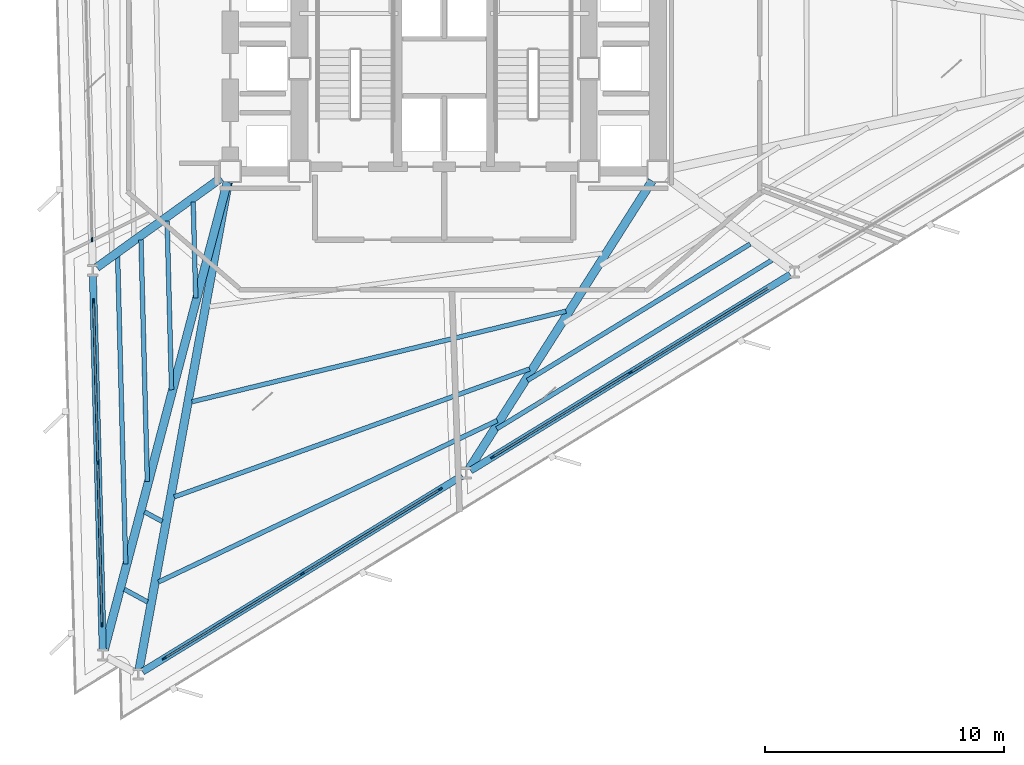
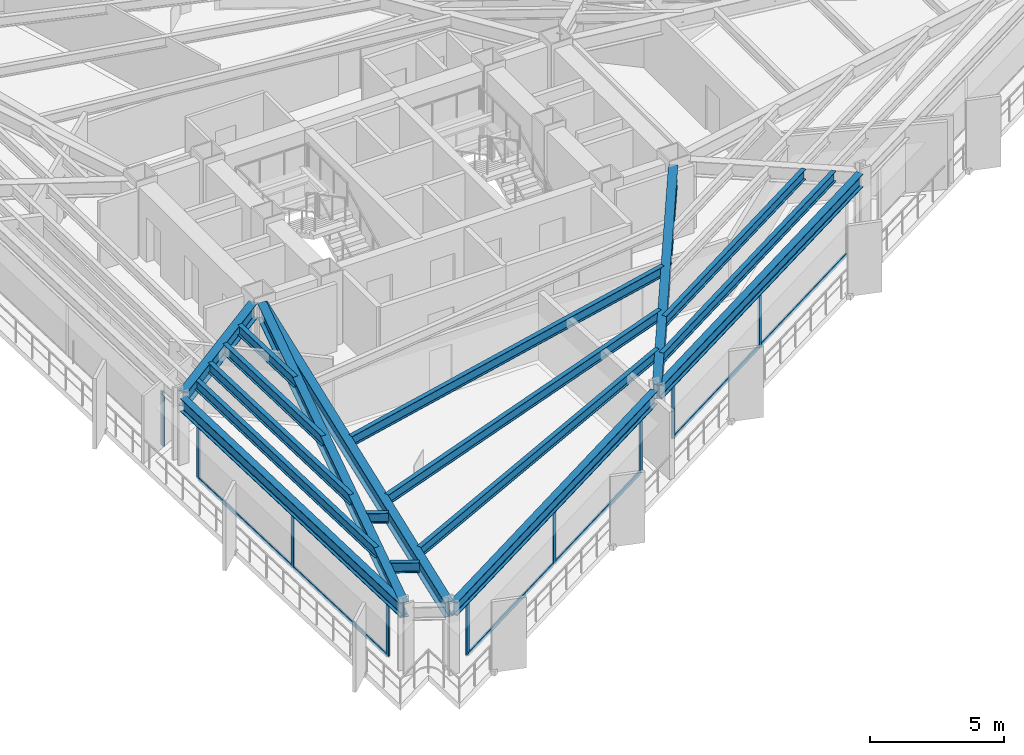
# One storey, part 2 of 14: 21 members, 18 beams, 4 elements without a shape of their own.
"""IFC4 building model written with IfcOpenShell, lengths in metres."""

import ifcopenshell
import ifcopenshell.guid

model = None  # the IFC model being written
_history = None  # IfcOwnerHistory: only IFC2X3 demands one
_inside = {}  # id of a spatial element -> (the spatial element, [elements in it])
_under = {}  # id of a project, library or spatial element -> (it, [spatial elements below it])
_declared = {}  # id of a project -> (the project, [libraries it declares])
_typed = {}  # id of a type object -> (the type object, [elements of that type])
_made_of = {}  # id of a material, layer set ... -> (it, [elements and type objects made of it])


def new_model(schema):
    """Start an empty IFC model of exactly this schema.

    Asked for "IFC4X3", IfcOpenShell would pick the latest addendum, in which some entities
    have other attributes; the version numbers below select the first issue.
    IFC2X3 requires an IfcOwnerHistory on every rooted entity: one is made here for all.
    """
    global model, _history
    if schema == "IFC4X3":
        model = ifcopenshell.file(schema_version=(4, 3, 0, 0))
    else:
        model = ifcopenshell.file(schema=schema)
    _inside.clear()
    _under.clear()
    _declared.clear()
    _typed.clear()
    _made_of.clear()
    _history = None
    if model.schema == "IFC2X3":
        org = make("IfcOrganization", Name="unknown")
        user = make(
            "IfcPersonAndOrganization",
            ThePerson=make("IfcPerson", FamilyName="unknown"),
            TheOrganization=org,
        )
        app = make(
            "IfcApplication",
            ApplicationDeveloper=org,
            Version="unknown",
            ApplicationFullName="unknown",
            ApplicationIdentifier="unknown",
        )
        _history = make(
            "IfcOwnerHistory",
            OwningUser=user,
            OwningApplication=app,
            ChangeAction="ADDED",
            CreationDate=0,
        )
    return model


def make(cls, **values):
    """One entity of the class cls with the attributes given. An attribute that is None is left unset."""
    return model.create_entity(
        cls, **{name: value for name, value in values.items() if value is not None}
    )


def rooted(cls, **values):
    """An entity with a GlobalId (a new one), such as an element, a storey or a relation."""
    return make(cls, GlobalId=ifcopenshell.guid.new(), OwnerHistory=_history, **values)


def si_unit(unit_type, name, prefix=None):
    """IfcSIUnit, for example si_unit("LENGTHUNIT", "METRE", prefix="MILLI")."""
    return make("IfcSIUnit", UnitType=unit_type, Prefix=prefix, Name=name)


def assignment(units):
    """IfcUnitAssignment: the units of a project."""
    return None if units is None else make("IfcUnitAssignment", Units=units)


def point(xyz):
    """IfcCartesianPoint."""
    return None if xyz is None else make("IfcCartesianPoint", Coordinates=xyz)


def direction(xyz):
    """IfcDirection."""
    return None if xyz is None else make("IfcDirection", DirectionRatios=xyz)


def frame(location, z_axis=None, x_axis=None):
    """IfcAxis2Placement3D, a coordinate frame: its origin and axes. An axis left out is left unset."""
    return make(
        "IfcAxis2Placement3D",
        Location=point(location),
        Axis=direction(z_axis),
        RefDirection=direction(x_axis),
    )


def frame_2d(location, x_axis=None):
    """IfcAxis2Placement2D, a coordinate frame in the plane: its origin and x axis."""
    return make(
        "IfcAxis2Placement2D", Location=point(location), RefDirection=direction(x_axis)
    )


def origin():
    """The frame at (0, 0, 0) with its axes left unset."""
    return frame((0.0, 0.0, 0.0))


def origin_2d():
    """The frame at (0, 0) in the plane with its x axis left unset."""
    return frame_2d((0.0, 0.0))


def place(relative_to, where):
    """IfcLocalPlacement: puts the frame where relative to a parent placement (None: the world)."""
    return make(
        "IfcLocalPlacement", PlacementRelTo=relative_to, RelativePlacement=where
    )


def context(
    kind, dimensions, precision=None, world=None, true_north=None, identifier=None
):
    """IfcGeometricRepresentationContext, for example the 3D "Model" context."""
    return make(
        "IfcGeometricRepresentationContext",
        ContextIdentifier=identifier,
        ContextType=kind,
        CoordinateSpaceDimension=dimensions,
        Precision=precision,
        WorldCoordinateSystem=world,
        TrueNorth=true_north,
    )


def subcontext(parent, identifier, kind, view, scale=None):
    """IfcGeometricRepresentationSubContext, for example "Body" below "Model"."""
    return make(
        "IfcGeometricRepresentationSubContext",
        ContextIdentifier=identifier,
        ContextType=kind,
        ParentContext=parent,
        TargetScale=scale,
        TargetView=view,
    )


def project(units=None, contexts=None):
    """IfcProject with its units and contexts."""
    return rooted(
        "IfcProject",
        Name="project",
        RepresentationContexts=contexts,
        UnitsInContext=assignment(units),
    )


def spatial(cls, under=None, at=None, **own):
    """A site, building, storey or space (cls), placed at a placement, below another one or the project."""
    s = rooted(cls, ObjectPlacement=at, **own)
    if under is not None:
        _under.setdefault(under.id(), (under, []))[1].append(s)
    return s


def profile(cls, at=None, kind="AREA", **sizes):
    """A parametric profile (cls). Its sizes go by their IFC names, for example OverallWidth=200.0."""
    return make(cls, ProfileType=kind, Position=at, **sizes)


def rectangle(**sizes):
    """IfcRectangleProfileDef."""
    return profile("IfcRectangleProfileDef", **sizes)


def i_section(**sizes):
    """IfcIShapeProfileDef."""
    return profile("IfcIShapeProfileDef", **sizes)


def extrude(swept, where, along, depth):
    """IfcExtrudedAreaSolid: the profile swept, set in the frame where, extruded along a direction by depth."""
    return make(
        "IfcExtrudedAreaSolid",
        SweptArea=swept,
        Position=where,
        ExtrudedDirection=direction(along),
        Depth=depth,
    )


def shape(context_of_items, identifier, shape_type, items):
    """IfcShapeRepresentation: the items that make up one representation, for example the "Body"."""
    return make(
        "IfcShapeRepresentation",
        ContextOfItems=context_of_items,
        RepresentationIdentifier=identifier,
        RepresentationType=shape_type,
        Items=items,
    )


def material(Name=None, Category=None):
    """IfcMaterial."""
    return make("IfcMaterial", Name=Name, Category=Category)


def layer(
    of_material, thickness, ventilated=None, Name=None, Category=None, Priority=None
):
    """IfcMaterialLayer: one layer of a wall or slab, of a material (None: an air gap)."""
    return make(
        "IfcMaterialLayer",
        Material=of_material,
        LayerThickness=thickness,
        IsVentilated=ventilated,
        Name=Name,
        Category=Category,
        Priority=Priority,
    )


def layer_set(layers, Name=None):
    """IfcMaterialLayerSet."""
    return make("IfcMaterialLayerSet", MaterialLayers=layers, LayerSetName=Name)


def material_profile(
    of_material, cross_section, Name=None, Category=None, Priority=None
):
    """IfcMaterialProfile: a cross section and its material."""
    return make(
        "IfcMaterialProfile",
        Name=Name,
        Material=of_material,
        Profile=cross_section,
        Priority=Priority,
        Category=Category,
    )


def profile_set(profiles, Name=None, composite=None):
    """IfcMaterialProfileSet."""
    return make(
        "IfcMaterialProfileSet",
        Name=Name,
        MaterialProfiles=profiles,
        CompositeProfile=composite,
    )


def made_of(thing, what):
    """Note that an element or type object is made of a material, layer set ...; save() writes the relation."""
    if what is not None:
        _made_of.setdefault(what.id(), (what, []))[1].append(thing)
    return thing


def type_object(cls, material=None, **own):
    """A type object (cls), such as IfcWallType, which elements share."""
    return made_of(rooted(cls, **own), material)


def element(
    cls,
    number,
    at=None,
    inside=None,
    cuts=None,
    type_object=None,
    material=None,
    context=None,
    identifier="Body",
    shape_type=None,
    held_by="IfcProductDefinitionShape",
    body=None,
    shapes=None,
    **own,
):
    """One element of the class cls, such as IfcWall. Its Tag is "e" and its number.

    at: its placement. inside: the storey or other place that contains it. cuts: it is an
    opening in that element (IfcRelVoidsElement). A single representation is given by context,
    identifier, shape_type and body (its items); several are given by shapes. held_by: the class
    of the entity that holds the representations. save() writes the other relations.
    """
    e = rooted(cls, Tag="e%d" % number, ObjectPlacement=at, **own)
    if body is not None:
        shapes = [shape(context, identifier, shape_type, body)]
    if shapes is not None:
        e.Representation = make(held_by, Representations=shapes)
    if inside is not None:
        _inside.setdefault(inside.id(), (inside, []))[1].append(e)
    if cuts is not None:
        rooted(
            "IfcRelVoidsElement", RelatingBuildingElement=cuts, RelatedOpeningElement=e
        )
    if type_object is not None:
        _typed.setdefault(type_object.id(), (type_object, []))[1].append(e)
    return made_of(e, material)


def aggregate(whole, parts):
    """IfcRelAggregates: a whole, such as a stair, and the parts it consists of."""
    return rooted("IfcRelAggregates", RelatingObject=whole, RelatedObjects=parts)


def save(model, path):
    """Write the relations noted so far, then the file.

    IfcRelAggregates (storeys below a building ...), IfcRelContainedInSpatialStructure (elements
    in a storey), IfcRelDefinesByType, IfcRelAssociatesMaterial and IfcRelDeclares: one each for
    every whole, place, type object, material and project.
    """
    for whole, parts in _under.values():
        aggregate(whole, parts)
    for where, things in _inside.values():
        rooted(
            "IfcRelContainedInSpatialStructure",
            RelatedElements=things,
            RelatingStructure=where,
        )
    for kind, things in _typed.values():
        rooted("IfcRelDefinesByType", RelatedObjects=things, RelatingType=kind)
    for what, things in _made_of.values():
        rooted("IfcRelAssociatesMaterial", RelatedObjects=things, RelatingMaterial=what)
    for by, libraries in _declared.values():
        rooted("IfcRelDeclares", RelatingContext=by, RelatedDefinitions=libraries)
    model.write(path)


model = new_model("IFC4")

# Units and contexts
model_context = context("Model", 3, precision=1e-05, world=origin(), true_north=direction((0.0, 1.0)))
body_context = subcontext(model_context, "Body", "Model", "MODEL_VIEW")
ifc_project = project(units=[si_unit("LENGTHUNIT", "METRE"), si_unit("AREAUNIT", "SQUARE_METRE"), si_unit("VOLUMEUNIT", "CUBIC_METRE"), si_unit("PLANEANGLEUNIT", "RADIAN"), si_unit("MASSUNIT", "GRAM", prefix="KILO")], contexts=[model_context])

# Site, building, storey
site_placement = place(None, origin())
site = spatial("IfcSite", under=ifc_project, at=site_placement, CompositionType="ELEMENT")
building_placement = place(site_placement, origin())
building = spatial("IfcBuilding", under=site, at=building_placement, Name="Rocaltana Carrier Exchange", CompositionType="ELEMENT")
storey_placement = place(building_placement, frame((0.0, 0.0, 25.60009765625)))
storey = spatial("IfcBuildingStorey", under=building, at=storey_placement, Name="L08", CompositionType="ELEMENT", Elevation=25.60009765625)

# Curtain wall, member
ifc_material_1 = material(Name="Aluminium 6063-T6", Category="aluminium")
ifc_layer = layer(ifc_material_1, 0.179931640625)
ifc_layer_set = layer_set([ifc_layer], Name="Aluminium 6063-T6")
curtain_wall_type = type_object("IfcCurtainWallType", Name="Sandstone Spandrel Unitised Curtain Wall CW-01", PredefinedType="NOTDEFINED", material=ifc_layer_set)
curtain_wall_1_placement = place(storey_placement, origin())
curtain_wall_1 = element("IfcCurtainWall", 1, at=curtain_wall_1_placement, inside=storey, type_object=curtain_wall_type, Name="L08 CW-01 Run CW-L08-F2S2", PredefinedType="NOTDEFINED")
ifc_material_2 = material(Name="Aluminium 6063-T6", Category="aluminium")
ifc_material_profile_1 = material_profile(ifc_material_2, rectangle(XDim=0.06494140625, YDim=0.179931640625, at=origin_2d()), Name="AL-65X180")
ifc_profile_set_1 = profile_set([ifc_material_profile_1], Name="Aluminium 6063-T6")
member_type_1 = type_object("IfcMemberType", Name="CW-01 Mullion AL-65X180", PredefinedType="MULLION", material=ifc_profile_set_1)
member_1_placement = place(storey_placement, frame((-14.733642578125, -7.155517578125, 0.0), z_axis=(0.0, 0.0, 1.0), x_axis=(0.99965733548, 0.026176547142, 0.0)))
member_1 = element("IfcMember", 2, at=member_1_placement, type_object=member_type_1, Name="CW-01 mullion 3", PredefinedType="MULLION", context=body_context, shape_type="SweptSolid", body=[
    extrude(rectangle(XDim=0.06494140625, YDim=0.179931640625, at=origin_2d()), origin(), (0.0, 0.0, 1.0), 2.477783203125),
])
aggregate(curtain_wall_1, [member_1])

# Curtain wall, members
curtain_wall_2_placement = place(storey_placement, origin())
curtain_wall_2 = element("IfcCurtainWall", 3, at=curtain_wall_2_placement, inside=storey, type_object=curtain_wall_type, Name="L08 CW-01 Run CW-L08-F2S3", PredefinedType="NOTDEFINED")
member_2_placement = place(storey_placement, frame((-14.66650390625, -9.7197265625, 0.0), z_axis=(0.0, 0.0, 1.0), x_axis=(0.999657143044, 0.026183895077, 0.0)))
member_2 = element("IfcMember", 4, at=member_2_placement, type_object=member_type_1, Name="CW-01 mullion 1", PredefinedType="MULLION", context=body_context, shape_type="SweptSolid", body=[
    extrude(rectangle(XDim=0.06494140625, YDim=0.179931640625, at=origin_2d()), origin(), (0.0, 0.0, 1.0), 2.477783203125),
])
member_3_placement = place(storey_placement, frame((-14.4892578125, -16.48486328125, 0.0), z_axis=(0.0, 0.0, 1.0), x_axis=(0.999657143044, 0.026183895077, 0.0)))
member_3 = element("IfcMember", 5, at=member_3_placement, type_object=member_type_1, Name="CW-01 mullion 2", PredefinedType="MULLION", context=body_context, shape_type="SweptSolid", body=[
    extrude(rectangle(XDim=0.06494140625, YDim=0.179931640625, at=origin_2d()), origin(), (0.0, 0.0, 1.0), 2.477783203125),
])
member_4_placement = place(storey_placement, frame((-14.31201171875, -23.25, 0.0), z_axis=(0.0, 0.0, 1.0), x_axis=(0.999657143044, 0.026183895077, 0.0)))
member_4 = element("IfcMember", 6, at=member_4_placement, type_object=member_type_1, Name="CW-01 mullion 3", PredefinedType="MULLION", context=body_context, shape_type="SweptSolid", body=[
    extrude(rectangle(XDim=0.06494140625, YDim=0.179931640625, at=origin_2d()), origin(), (0.0, 0.0, 1.0), 2.477783203125),
])

curtain_wall_3_placement = place(storey_placement, origin())
curtain_wall_3 = element("IfcCurtainWall", 7, at=curtain_wall_3_placement, inside=storey, type_object=curtain_wall_type, Name="L08 CW-01 Run CW-L08-F3S1", PredefinedType="NOTDEFINED")
member_5_placement = place(storey_placement, frame((-11.704345703125, -24.666015625, 0.0), z_axis=(0.0, 0.0, 1.0), x_axis=(-0.522505157925, 0.852636123996, 0.0)))
member_5 = element("IfcMember", 8, at=member_5_placement, type_object=member_type_1, Name="CW-01 mullion 1", PredefinedType="MULLION", context=body_context, shape_type="SweptSolid", body=[
    extrude(rectangle(XDim=0.06494140625, YDim=0.179931640625, at=origin_2d()), origin(), (0.0, 0.0, 1.0), 2.477783203125),
])
member_6_placement = place(storey_placement, frame((-5.93408203125, -21.130126953125, 0.0), z_axis=(0.0, 0.0, 1.0), x_axis=(-0.522505157925, 0.852636123996, 0.0)))
member_6 = element("IfcMember", 9, at=member_6_placement, type_object=member_type_1, Name="CW-01 mullion 2", PredefinedType="MULLION", context=body_context, shape_type="SweptSolid", body=[
    extrude(rectangle(XDim=0.06494140625, YDim=0.179931640625, at=origin_2d()), origin(), (0.0, 0.0, 1.0), 2.477783203125),
])
member_7_placement = place(storey_placement, frame((-0.163818359375, -17.593994140625, 0.0), z_axis=(0.0, 0.0, 1.0), x_axis=(-0.522505157925, 0.852636123996, 0.0)))
member_7 = element("IfcMember", 10, at=member_7_placement, type_object=member_type_1, Name="CW-01 mullion 3", PredefinedType="MULLION", context=body_context, shape_type="SweptSolid", body=[
    extrude(rectangle(XDim=0.06494140625, YDim=0.179931640625, at=origin_2d()), origin(), (0.0, 0.0, 1.0), 2.477783203125),
])

curtain_wall_4_placement = place(storey_placement, origin())
curtain_wall_4 = element("IfcCurtainWall", 11, at=curtain_wall_4_placement, inside=storey, type_object=curtain_wall_type, Name="L08 CW-01 Run CW-L08-F3S2", PredefinedType="NOTDEFINED")
member_8_placement = place(storey_placement, frame((2.023193359375, -16.25390625, 0.0), z_axis=(0.0, 0.0, 1.0), x_axis=(-0.522499812415, 0.852639399762, 0.0)))
member_8 = element("IfcMember", 12, at=member_8_placement, type_object=member_type_1, Name="CW-01 mullion 1", PredefinedType="MULLION", context=body_context, shape_type="SweptSolid", body=[
    extrude(rectangle(XDim=0.06494140625, YDim=0.179931640625, at=origin_2d()), origin(), (0.0, 0.0, 1.0), 2.477783203125),
])
member_9_placement = place(storey_placement, frame((7.79345703125, -12.7177734375, 0.0), z_axis=(0.0, 0.0, 1.0), x_axis=(-0.522499812415, 0.852639399762, 0.0)))
member_9 = element("IfcMember", 13, at=member_9_placement, type_object=member_type_1, Name="CW-01 mullion 2", PredefinedType="MULLION", context=body_context, shape_type="SweptSolid", body=[
    extrude(rectangle(XDim=0.06494140625, YDim=0.179931640625, at=origin_2d()), origin(), (0.0, 0.0, 1.0), 2.477783203125),
])

# Member
ifc_material_3 = material(Name="Aluminium 6063-T6", Category="aluminium")
ifc_material_profile_2 = material_profile(ifc_material_3, rectangle(XDim=0.06494140625, YDim=0.179931640625, at=origin_2d()), Name="AL-65X180")
ifc_profile_set_2 = profile_set([ifc_material_profile_2], Name="Aluminium 6063-T6")
member_type_2 = type_object("IfcMemberType", Name="CW-01 Transom AL-65X180", PredefinedType="USERDEFINED", material=ifc_profile_set_2)
member_10_placement = place(storey_placement, frame((-14.66552734375, -9.752197265625, 0.032470703125), z_axis=(0.026189818331, -0.999656987879, 0.0), x_axis=(0.999656987879, 0.026189818331, 0.0)))
member_10 = element("IfcMember", 14, at=member_10_placement, type_object=member_type_2, Name="CW-01 transom 1.1", ObjectType="TRANSOM", PredefinedType="USERDEFINED", context=body_context, shape_type="SweptSolid", body=[
    extrude(rectangle(XDim=0.06494140625, YDim=0.179931640625, at=origin_2d()), origin(), (0.0, 0.0, 1.0), 6.702392578125),
])

member_11_placement = place(storey_placement, frame((-14.66552734375, -9.752197265625, 2.4453125), z_axis=(0.026189818331, -0.999656987879, 0.0), x_axis=(0.999656987879, 0.026189818331, 0.0)))
member_11 = element("IfcMember", 15, at=member_11_placement, type_object=member_type_2, Name="CW-01 transom 1.2", ObjectType="TRANSOM", PredefinedType="USERDEFINED", context=body_context, shape_type="SweptSolid", body=[
    extrude(rectangle(XDim=0.06494140625, YDim=0.179931640625, at=origin_2d()), origin(), (0.0, 0.0, 1.0), 6.702392578125),
])

member_12_placement = place(storey_placement, frame((-14.48828125, -16.517333984375, 0.032470703125), z_axis=(0.026153417925, -0.999657940863, 0.0), x_axis=(0.999657940863, 0.026153417925, 0.0)))
member_12 = element("IfcMember", 16, at=member_12_placement, type_object=member_type_2, Name="CW-01 transom 2.1", ObjectType="TRANSOM", PredefinedType="USERDEFINED", context=body_context, shape_type="SweptSolid", body=[
    extrude(rectangle(XDim=0.06494140625, YDim=0.179931640625, at=origin_2d()), origin(), (0.0, 0.0, 1.0), 6.702392578125),
])

member_13_placement = place(storey_placement, frame((-14.48828125, -16.517333984375, 2.4453125), z_axis=(0.026153417925, -0.999657940863, 0.0), x_axis=(0.999657940863, 0.026153417925, 0.0)))
member_13 = element("IfcMember", 17, at=member_13_placement, type_object=member_type_2, Name="CW-01 transom 2.2", ObjectType="TRANSOM", PredefinedType="USERDEFINED", context=body_context, shape_type="SweptSolid", body=[
    extrude(rectangle(XDim=0.06494140625, YDim=0.179931640625, at=origin_2d()), origin(), (0.0, 0.0, 1.0), 6.702392578125),
])

aggregate(curtain_wall_2, [member_2, member_3, member_4, member_10, member_11, member_12, member_13])

member_14_placement = place(storey_placement, frame((-11.676513671875, -24.649169921875, 0.032470703125), z_axis=(0.85263109068, 0.522513371318, 0.0), x_axis=(-0.522513371318, 0.85263109068, 0.0)))
member_14 = element("IfcMember", 18, at=member_14_placement, type_object=member_type_2, Name="CW-01 transom 1.1", ObjectType="TRANSOM", PredefinedType="USERDEFINED", context=body_context, shape_type="SweptSolid", body=[
    extrude(rectangle(XDim=0.06494140625, YDim=0.179931640625, at=origin_2d()), origin(), (0.0, 0.0, 1.0), 6.70263671875),
])

member_15_placement = place(storey_placement, frame((-11.676513671875, -24.649169921875, 2.4453125), z_axis=(0.85263109068, 0.522513371318, 0.0), x_axis=(-0.522513371318, 0.85263109068, 0.0)))
member_15 = element("IfcMember", 19, at=member_15_placement, type_object=member_type_2, Name="CW-01 transom 1.2", ObjectType="TRANSOM", PredefinedType="USERDEFINED", context=body_context, shape_type="SweptSolid", body=[
    extrude(rectangle(XDim=0.06494140625, YDim=0.179931640625, at=origin_2d()), origin(), (0.0, 0.0, 1.0), 6.70263671875),
])

member_16_placement = place(storey_placement, frame((-5.90625, -21.113037109375, 0.032470703125), z_axis=(0.85264731822, 0.522486890488, 0.0), x_axis=(-0.522486890488, 0.85264731822, 0.0)))
member_16 = element("IfcMember", 20, at=member_16_placement, type_object=member_type_2, Name="CW-01 transom 2.1", ObjectType="TRANSOM", PredefinedType="USERDEFINED", context=body_context, shape_type="SweptSolid", body=[
    extrude(rectangle(XDim=0.06494140625, YDim=0.179931640625, at=origin_2d()), origin(), (0.0, 0.0, 1.0), 6.702392578125),
])

member_17_placement = place(storey_placement, frame((-5.90625, -21.113037109375, 2.4453125), z_axis=(0.85264731822, 0.522486890488, 0.0), x_axis=(-0.522486890488, 0.85264731822, 0.0)))
member_17 = element("IfcMember", 21, at=member_17_placement, type_object=member_type_2, Name="CW-01 transom 2.2", ObjectType="TRANSOM", PredefinedType="USERDEFINED", context=body_context, shape_type="SweptSolid", body=[
    extrude(rectangle(XDim=0.06494140625, YDim=0.179931640625, at=origin_2d()), origin(), (0.0, 0.0, 1.0), 6.702392578125),
])

aggregate(curtain_wall_3, [member_5, member_6, member_7, member_14, member_15, member_16, member_17])

member_18_placement = place(storey_placement, frame((2.051025390625, -16.23681640625, 0.032470703125), z_axis=(0.852637373876, 0.522503118335, 0.0), x_axis=(-0.522503118335, 0.852637373876, 0.0)))
member_18 = element("IfcMember", 22, at=member_18_placement, type_object=member_type_2, Name="CW-01 transom 1.1", ObjectType="TRANSOM", PredefinedType="USERDEFINED", context=body_context, shape_type="SweptSolid", body=[
    extrude(rectangle(XDim=0.06494140625, YDim=0.179931640625, at=origin_2d()), origin(), (0.0, 0.0, 1.0), 6.7021484375),
])

member_19_placement = place(storey_placement, frame((2.051025390625, -16.23681640625, 2.4453125), z_axis=(0.852637373876, 0.522503118335, 0.0), x_axis=(-0.522503118335, 0.852637373876, 0.0)))
member_19 = element("IfcMember", 23, at=member_19_placement, type_object=member_type_2, Name="CW-01 transom 1.2", ObjectType="TRANSOM", PredefinedType="USERDEFINED", context=body_context, shape_type="SweptSolid", body=[
    extrude(rectangle(XDim=0.06494140625, YDim=0.179931640625, at=origin_2d()), origin(), (0.0, 0.0, 1.0), 6.7021484375),
])

member_20_placement = place(storey_placement, frame((7.821044921875, -12.700927734375, 0.032470703125), z_axis=(0.85263109068, 0.522513371318, 0.0), x_axis=(-0.522513371318, 0.85263109068, 0.0)))
member_20 = element("IfcMember", 24, at=member_20_placement, type_object=member_type_2, Name="CW-01 transom 2.1", ObjectType="TRANSOM", PredefinedType="USERDEFINED", context=body_context, shape_type="SweptSolid", body=[
    extrude(rectangle(XDim=0.06494140625, YDim=0.179931640625, at=origin_2d()), origin(), (0.0, 0.0, 1.0), 6.70263671875),
])

member_21_placement = place(storey_placement, frame((7.821044921875, -12.700927734375, 2.4453125), z_axis=(0.85263109068, 0.522513371318, 0.0), x_axis=(-0.522513371318, 0.85263109068, 0.0)))
member_21 = element("IfcMember", 25, at=member_21_placement, type_object=member_type_2, Name="CW-01 transom 2.2", ObjectType="TRANSOM", PredefinedType="USERDEFINED", context=body_context, shape_type="SweptSolid", body=[
    extrude(rectangle(XDim=0.06494140625, YDim=0.179931640625, at=origin_2d()), origin(), (0.0, 0.0, 1.0), 6.70263671875),
])

aggregate(curtain_wall_4, [member_8, member_9, member_18, member_19, member_20, member_21])

# Beams
ifc_material_4 = material(Name="Steel S355", Category="steel")
ifc_material_profile_3 = material_profile(ifc_material_4, i_section(OverallWidth=0.193115234375, OverallDepth=0.466064453125, WebThickness=0.011474609375, FlangeThickness=0.01904296875, FilletRadius=0.013916015625, at=origin_2d()), Name="W18X65")
ifc_profile_set_3 = profile_set([ifc_material_profile_3], Name="Steel S355")
beam_type_1 = type_object("IfcBeamType", Name="Floor Joist W18X65", PredefinedType="JOIST", material=ifc_profile_set_3)
beam_1_placement = place(storey_placement, frame((-10.498046875, -5.588623046875, 2.864990234375), z_axis=(0.02615756085, -0.999657832466, 0.0), x_axis=(0.999657832466, 0.02615756085, 0.0)))
element("IfcBeam", 26, at=beam_1_placement, inside=storey, type_object=beam_type_1, Name="FJ-L08-07-1", PredefinedType="JOIST", context=body_context, shape_type="SweptSolid", body=[
    extrude(i_section(OverallWidth=0.193115234375, OverallDepth=0.466064453125, WebThickness=0.011474609375, FlangeThickness=0.01904296875, FilletRadius=0.013916015625, at=origin_2d()), origin(), (0.0, 0.0, 1.0), 4.004150390625),
])
beam_2_placement = place(storey_placement, frame((-11.590576171875, -6.374755859375, 2.864990234375), z_axis=(0.026201236861, -0.999656688662, 0.0), x_axis=(0.999656688662, 0.026201236861, 0.0)))
element("IfcBeam", 27, at=beam_2_placement, inside=storey, type_object=beam_type_1, Name="FJ-L08-07-2", PredefinedType="JOIST", context=body_context, shape_type="SweptSolid", body=[
    extrude(i_section(OverallWidth=0.193115234375, OverallDepth=0.466064453125, WebThickness=0.011474609375, FlangeThickness=0.01904296875, FilletRadius=0.013916015625, at=origin_2d()), origin(), (0.0, 0.0, 1.0), 7.06298828125),
])
beam_3_placement = place(storey_placement, frame((-12.68310546875, -7.160888671875, 2.864990234375), z_axis=(0.026193779282, -0.999656884099, 0.0), x_axis=(0.999656884099, 0.026193779282, 0.0)))
element("IfcBeam", 28, at=beam_3_placement, inside=storey, type_object=beam_type_1, Name="FJ-L08-07-3", PredefinedType="JOIST", context=body_context, shape_type="SweptSolid", body=[
    extrude(i_section(OverallWidth=0.193115234375, OverallDepth=0.466064453125, WebThickness=0.011474609375, FlangeThickness=0.01904296875, FilletRadius=0.013916015625, at=origin_2d()), origin(), (0.0, 0.0, 1.0), 10.1220703125),
])
beam_4_placement = place(storey_placement, frame((-13.660400390625, -7.864501953125, 2.864990234375), z_axis=(0.026162886521, -0.999657693097, 0.0), x_axis=(0.999657693097, 0.026162886521, 0.0)))
element("IfcBeam", 29, at=beam_4_placement, inside=storey, type_object=beam_type_1, Name="FJ-L08-07-4", PredefinedType="JOIST", context=body_context, shape_type="SweptSolid", body=[
    extrude(i_section(OverallWidth=0.193115234375, OverallDepth=0.466064453125, WebThickness=0.011474609375, FlangeThickness=0.01904296875, FilletRadius=0.013916015625, at=origin_2d()), origin(), (0.0, 0.0, 1.0), 12.85888671875),
])
beam_5_placement = place(storey_placement, frame((-12.529296875, -18.54443359375, 2.864990234375), z_axis=(0.878797482276, -0.477194913159, 0.0), x_axis=(0.477194913159, 0.878797482276, 0.0)))
element("IfcBeam", 30, at=beam_5_placement, inside=storey, type_object=beam_type_1, Name="FJ-L08-08-3", PredefinedType="JOIST", context=body_context, shape_type="SweptSolid", body=[
    extrude(i_section(OverallWidth=0.193115234375, OverallDepth=0.466064453125, WebThickness=0.011474609375, FlangeThickness=0.01904296875, FilletRadius=0.013916015625, at=origin_2d()), origin(), (0.0, 0.0, 1.0), 0.83642578125),
])
beam_6_placement = place(storey_placement, frame((-13.3818359375, -21.781494140625, 2.864990234375), z_axis=(0.878771440965, -0.477242867462, 0.0), x_axis=(0.477242867462, 0.878771440965, 0.0)))
element("IfcBeam", 31, at=beam_6_placement, inside=storey, type_object=beam_type_1, Name="FJ-L08-08-4", PredefinedType="JOIST", context=body_context, shape_type="SweptSolid", body=[
    extrude(i_section(OverallWidth=0.193115234375, OverallDepth=0.466064453125, WebThickness=0.011474609375, FlangeThickness=0.01904296875, FilletRadius=0.013916015625, at=origin_2d()), origin(), (0.0, 0.0, 1.0), 1.10595703125),
])
beam_7_placement = place(storey_placement, frame((-10.55322265625, -13.936279296875, 2.864990234375), z_axis=(0.971913306863, 0.235339167889, 0.0), x_axis=(-0.235339167889, 0.971913306863, 0.0)))
element("IfcBeam", 32, at=beam_7_placement, inside=storey, type_object=beam_type_1, Name="FJ-L08-09-2", PredefinedType="JOIST", context=body_context, shape_type="SweptSolid", body=[
    extrude(i_section(OverallWidth=0.193115234375, OverallDepth=0.466064453125, WebThickness=0.011474609375, FlangeThickness=0.01904296875, FilletRadius=0.013916015625, at=origin_2d()), origin(), (0.0, 0.0, 1.0), 16.099365234375),
])
beam_8_placement = place(storey_placement, frame((-11.289794921875, -17.915283203125, 2.864990234375), z_axis=(0.940885835943, 0.338723845813, 0.0), x_axis=(-0.338723845813, 0.940885835943, 0.0)))
element("IfcBeam", 33, at=beam_8_placement, inside=storey, type_object=beam_type_1, Name="FJ-L08-09-3", PredefinedType="JOIST", context=body_context, shape_type="SweptSolid", body=[
    extrude(i_section(OverallWidth=0.193115234375, OverallDepth=0.466064453125, WebThickness=0.011474609375, FlangeThickness=0.01904296875, FilletRadius=0.013916015625, at=origin_2d()), origin(), (0.0, 0.0, 1.0), 15.799072265625),
])
beam_9_placement = place(storey_placement, frame((-11.950439453125, -21.475830078125, 2.864990234375), z_axis=(0.902777117636, 0.430108679141, 0.0), x_axis=(-0.430108679141, 0.902777117636, 0.0)))
element("IfcBeam", 34, at=beam_9_placement, inside=storey, type_object=beam_type_1, Name="FJ-L08-09-4", PredefinedType="JOIST", context=body_context, shape_type="SweptSolid", body=[
    extrude(i_section(OverallWidth=0.193115234375, OverallDepth=0.466064453125, WebThickness=0.011474609375, FlangeThickness=0.01904296875, FilletRadius=0.013916015625, at=origin_2d()), origin(), (0.0, 0.0, 1.0), 15.69482421875),
])
beam_10_placement = place(storey_placement, frame((3.48193359375, -13.047119140625, 2.864990234375), z_axis=(0.852647168541, 0.52248713475, 0.0), x_axis=(-0.52248713475, 0.852647168541, 0.0)))
element("IfcBeam", 35, at=beam_10_placement, inside=storey, type_object=beam_type_1, Name="FJ-L08-10-3", PredefinedType="JOIST", context=body_context, shape_type="SweptSolid", body=[
    extrude(i_section(OverallWidth=0.193115234375, OverallDepth=0.466064453125, WebThickness=0.011474609375, FlangeThickness=0.01904296875, FilletRadius=0.013916015625, at=origin_2d()), origin(), (0.0, 0.0, 1.0), 10.927001953125),
])
beam_11_placement = place(storey_placement, frame((2.19873046875, -15.06689453125, 2.864990234375), z_axis=(0.852643866126, 0.522492523926, 0.0), x_axis=(-0.522492523926, 0.852643866126, 0.0)))
element("IfcBeam", 36, at=beam_11_placement, inside=storey, type_object=beam_type_1, Name="FJ-L08-10-4", PredefinedType="JOIST", context=body_context, shape_type="SweptSolid", body=[
    extrude(i_section(OverallWidth=0.193115234375, OverallDepth=0.466064453125, WebThickness=0.011474609375, FlangeThickness=0.01904296875, FilletRadius=0.013916015625, at=origin_2d()), origin(), (0.0, 0.0, 1.0), 13.5029296875),
])
ifc_material_5 = material(Name="Steel S355", Category="steel")
ifc_material_profile_4 = material_profile(ifc_material_5, i_section(OverallWidth=0.35498046875, OverallDepth=0.695068359375, WebThickness=0.015380859375, FlangeThickness=0.02490234375, FilletRadius=0.01806640625, at=origin_2d()), Name="W27X146")
ifc_profile_set_4 = profile_set([ifc_material_profile_4], Name="Steel S355")
beam_type_2 = type_object("IfcBeamType", Name="Radial Girder W27X146", PredefinedType="BEAM", material=ifc_profile_set_4)
beam_12_placement = place(storey_placement, frame((-9.3291015625, -4.57275390625, 2.75048828125), z_axis=(-0.811692545501, -0.584084935243, 0.0), x_axis=(0.584084935243, -0.811692545501, 0.0)))
element("IfcBeam", 37, at=beam_12_placement, inside=storey, type_object=beam_type_2, Name="RG-L08-07", PredefinedType="BEAM", context=body_context, shape_type="SweptSolid", body=[
    extrude(i_section(OverallWidth=0.35498046875, OverallDepth=0.695068359375, WebThickness=0.015380859375, FlangeThickness=0.02490234375, FilletRadius=0.01806640625, at=origin_2d()), origin(), (0.0, 0.0, 1.0), 6.408935546875),
])
beam_13_placement = place(storey_placement, frame((-9.06884765625, -4.751708984375, 2.75048828125), z_axis=(-0.254690940401, -0.967022504845, 0.0), x_axis=(0.967022504845, -0.254690940401, 0.0)))
element("IfcBeam", 38, at=beam_13_placement, inside=storey, type_object=beam_type_2, Name="RG-L08-08", PredefinedType="BEAM", context=body_context, shape_type="SweptSolid", body=[
    extrude(i_section(OverallWidth=0.35498046875, OverallDepth=0.695068359375, WebThickness=0.015380859375, FlangeThickness=0.02490234375, FilletRadius=0.01806640625, at=origin_2d()), origin(), (0.0, 0.0, 1.0), 20.2470703125),
])
beam_14_placement = place(storey_placement, frame((-9.033935546875, -4.759521484375, 2.75048828125), z_axis=(-0.179939319747, -0.983677712063, 0.0), x_axis=(0.983677712063, -0.179939319747, 0.0)))
element("IfcBeam", 39, at=beam_14_placement, inside=storey, type_object=beam_type_2, Name="RG-L08-09", PredefinedType="BEAM", context=body_context, shape_type="SweptSolid", body=[
    extrude(i_section(OverallWidth=0.35498046875, OverallDepth=0.695068359375, WebThickness=0.015380859375, FlangeThickness=0.02490234375, FilletRadius=0.01806640625, at=origin_2d()), origin(), (0.0, 0.0, 1.0), 20.710205078125),
])
beam_15_placement = place(storey_placement, frame((8.69970703125, -4.694091796875, 2.75048828125), z_axis=(-0.536257007231, -0.84405475071, 0.0), x_axis=(0.84405475071, -0.536257007231, 0.0)))
element("IfcBeam", 40, at=beam_15_placement, inside=storey, type_object=beam_type_2, Name="RG-L08-10", PredefinedType="BEAM", context=body_context, shape_type="SweptSolid", body=[
    extrude(i_section(OverallWidth=0.35498046875, OverallDepth=0.695068359375, WebThickness=0.015380859375, FlangeThickness=0.02490234375, FilletRadius=0.01806640625, at=origin_2d()), origin(), (0.0, 0.0, 1.0), 14.28125),
])
ifc_material_6 = material(Name="Steel S355", Category="steel")
ifc_material_profile_5 = material_profile(ifc_material_6, i_section(OverallWidth=0.300048828125, OverallDepth=0.60009765625, WebThickness=0.015380859375, FlangeThickness=0.030029296875, FilletRadius=0.027099609375, at=origin_2d()), Name="HEB600")
ifc_profile_set_5 = profile_set([ifc_material_profile_5], Name="Steel S355")
beam_type_3 = type_object("IfcBeamType", Name="Spandrel Edge Beam HEB600", PredefinedType="SPANDREL", material=ifc_profile_set_5)
for number, where, z_axis, x_axis, name in (
    (41, (-14.694580078125, -8.6455078125, 2.7978515625), (0.026182238984, -0.99965718642, 0.0), (0.99965718642, 0.026182238984, 0.0), "SP-L08-07"),
    (42, (-12.62060546875, -25.2275390625, 2.7978515625), (0.852645545454, 0.522489783458, 0.0), (-0.522489783458, 0.852645545454, 0.0), "SP-L08-09"),
    (43, (1.10693359375, -16.815185546875, 2.7978515625), (0.852645545454, 0.522489783458, 0.0), (-0.522489783458, 0.852645545454, 0.0), "SP-L08-10"),
):
    element("IfcBeam", number, at=place(storey_placement, frame(where, z_axis=z_axis, x_axis=x_axis)), inside=storey, type_object=beam_type_3, Name=name, PredefinedType="SPANDREL", context=body_context, shape_type="SweptSolid", body=[
        extrude(i_section(OverallWidth=0.300048828125, OverallDepth=0.60009765625, WebThickness=0.015380859375, FlangeThickness=0.030029296875, FilletRadius=0.027099609375, at=origin_2d()), origin(), (0.0, 0.0, 1.0), 15.68408203125),
    ])

save(model, "model.ifc")
